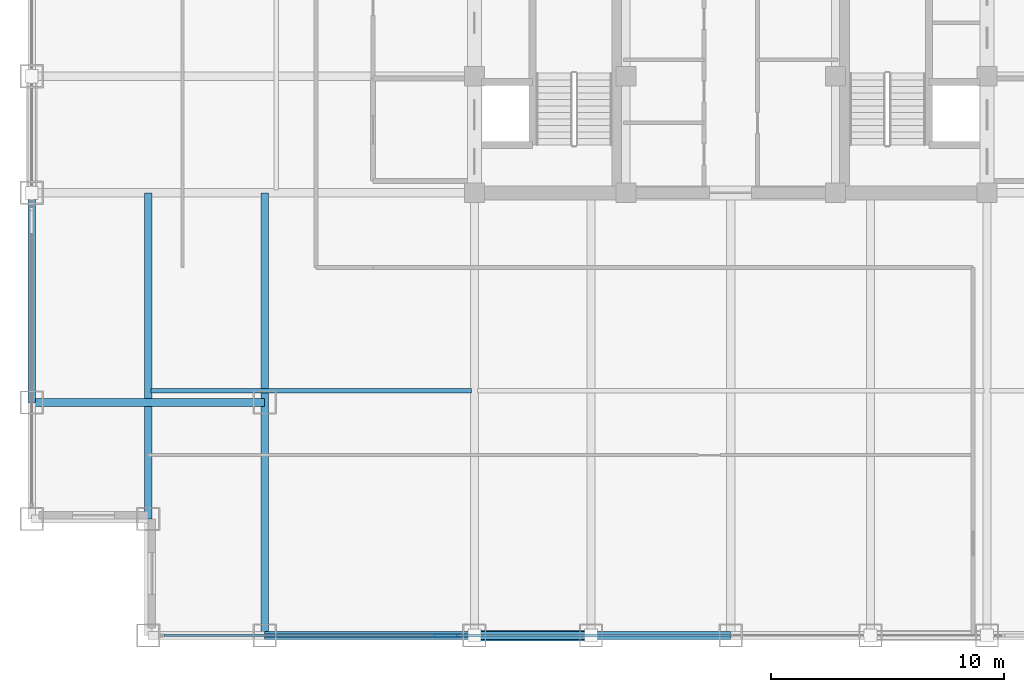
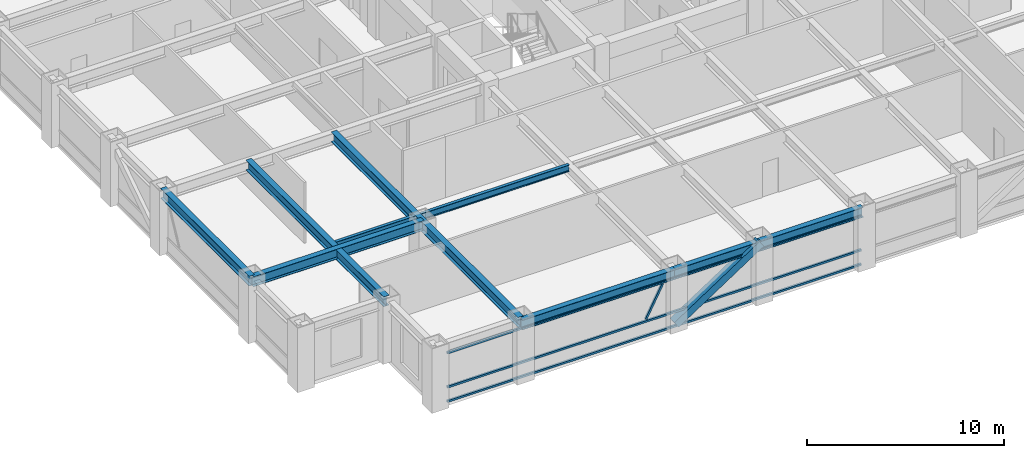
# One storey, part 3 of 24: 8 beams, 5 members, 1 element without a shape of its own.
"""IFC4 building model written with IfcOpenShell, lengths in metres."""

from ifc_helpers import new_model, si_unit, direction, frame, origin, origin_2d, place, context, subcontext, project, spatial, hollow_rectangle, i_section, extrude, source, transform, mapped, material, material_profile, profile_set, type_object, element, aggregate, save


model = new_model("IFC4")

# Units and contexts
model_context = context("Model", 3, precision=1e-05, world=origin(), true_north=direction((0.0, 1.0)))
body_context = subcontext(model_context, "Body", "Model", "MODEL_VIEW")
ifc_project = project(units=[si_unit("LENGTHUNIT", "METRE"), si_unit("AREAUNIT", "SQUARE_METRE"), si_unit("VOLUMEUNIT", "CUBIC_METRE"), si_unit("PLANEANGLEUNIT", "RADIAN"), si_unit("MASSUNIT", "GRAM", prefix="KILO")], contexts=[model_context])

# Site, building, storey
site_placement = place(None, origin())
site = spatial("IfcSite", under=ifc_project, at=site_placement, CompositionType="ELEMENT")
building_placement = place(site_placement, origin())
building = spatial("IfcBuilding", under=site, at=building_placement, Name="Khorayat Bourse Tower", CompositionType="ELEMENT")
storey_placement = place(building_placement, frame((0.0, 0.0, 259.10009765625)))
storey = spatial("IfcBuildingStorey", under=building, at=storey_placement, Name="L61", CompositionType="ELEMENT", Elevation=259.10009765625)

# Beams
ifc_material_1 = material(Name="Steel ASTM A992 Grade 50", Category="steel")
ifc_material_profile_1 = material_profile(ifc_material_1, i_section(OverallWidth=0.324951171875, OverallDepth=0.615966796875, WebThickness=0.013916015625, FlangeThickness=0.021484375, FilletRadius=0.01611328125, at=origin_2d()), Name="W610X174")
ifc_profile_set_1 = profile_set([ifc_material_profile_1], Name="Steel ASTM A992 Grade 50")
beam_type_1 = type_object("IfcBeamType", Name="BM-GIRD-610", PredefinedType="BEAM", material=ifc_profile_set_1)
shared_shape_1 = source(origin(), body_context, "Body", "SweptSolid", [
    extrude(i_section(OverallWidth=0.324951171875, OverallDepth=0.615966796875, WebThickness=0.013916015625, FlangeThickness=0.021484375, FilletRadius=0.01611328125, at=origin_2d()), origin(), (0.0, 0.0, 1.0), 19.0),
])
beam_1_placement = place(storey_placement, frame((-20.0, -30.0, 3.471923828125), z_axis=(0.0, 1.0, 0.0), x_axis=(-1.0, 0.0, 0.0)))
element("IfcBeam", 1, at=beam_1_placement, inside=storey, type_object=beam_type_1, Name="L61 BM-GIRD-610 BM-L61-CNRY-084", PredefinedType="BEAM", context=body_context, shape_type="MappedRepresentation", body=[
    mapped(shared_shape_1, transform((0.0, 0.0, 0.0), scale=1.0)),
])
shared_shape_2 = source(origin(), body_context, "Body", "SweptSolid", [
    extrude(i_section(OverallWidth=0.324951171875, OverallDepth=0.615966796875, WebThickness=0.013916015625, FlangeThickness=0.021484375, FilletRadius=0.01611328125, at=origin_2d()), origin(), (0.0, 0.0, 1.0), 10.0),
])
beam_2_placement = place(storey_placement, frame((-30.0, -20.0, 3.471923828125), z_axis=(1.0, 0.0, 0.0), x_axis=(0.0, 1.0, 0.0)))
element("IfcBeam", 2, at=beam_2_placement, inside=storey, type_object=beam_type_1, Name="L61 BM-GIRD-610 BM-L61-CNRX-093", PredefinedType="BEAM", context=body_context, shape_type="MappedRepresentation", body=[
    mapped(shared_shape_2, transform((0.0, 0.0, 0.0), scale=1.0)),
])
ifc_material_profile_2 = material_profile(ifc_material_1, i_section(OverallWidth=0.324951171875, OverallDepth=0.615966796875, WebThickness=0.013916015625, FlangeThickness=0.021484375, FilletRadius=0.01611328125, at=origin_2d()), Name="W610X174")
ifc_profile_set_2 = profile_set([ifc_material_profile_2], Name="Steel ASTM A992 Grade 50")
beam_type_2 = type_object("IfcBeamType", Name="BM-SPAN-610", PredefinedType="SPANDREL", material=ifc_profile_set_2)
shared_shape_3 = source(origin(), body_context, "Body", "SweptSolid", [
    extrude(i_section(OverallWidth=0.324951171875, OverallDepth=0.615966796875, WebThickness=0.013916015625, FlangeThickness=0.021484375, FilletRadius=0.01611328125, at=origin_2d()), origin(), (0.0, 0.0, 1.0), 9.0),
])
for number, where, z_axis, x_axis, name in (
    (3, (-20.0, -30.0, 3.351806640625), (1.0, 0.0, 0.0), (0.0, 1.0, 0.0), "L61 BM-SPAN-610 BM-L61-SPN-025"),
    (4, (-30.0, -20.0, 3.471923828125), (0.0, 1.0, 0.0), (-1.0, 0.0, 0.0), "L61 BM-SPAN-610 BM-L61-SPN-060"),
):
    element("IfcBeam", number, at=place(storey_placement, frame(where, z_axis=z_axis, x_axis=x_axis)), inside=storey, type_object=beam_type_2, Name=name, PredefinedType="SPANDREL", context=body_context, shape_type="MappedRepresentation", body=[
        mapped(shared_shape_3, transform((0.0, 0.0, 0.0), scale=1.0)),
    ])
shared_shape_4 = source(origin(), body_context, "Body", "SweptSolid", [
    extrude(i_section(OverallWidth=0.324951171875, OverallDepth=0.615966796875, WebThickness=0.013916015625, FlangeThickness=0.021484375, FilletRadius=0.01611328125, at=origin_2d()), origin(), (0.0, 0.0, 1.0), 5.0),
])
beam_3_placement = place(storey_placement, frame((-11.0, -30.0, 3.351806640625), z_axis=(1.0, 0.0, 0.0), x_axis=(0.0, 1.0, 0.0)))
element("IfcBeam", 5, at=beam_3_placement, inside=storey, type_object=beam_type_2, Name="L61 BM-SPAN-610 BM-L61-SPN-026", PredefinedType="SPANDREL", context=body_context, shape_type="MappedRepresentation", body=[
    mapped(shared_shape_4, transform((0.0, 0.0, 0.0), scale=1.0)),
])
shared_shape_5 = source(origin(), body_context, "Body", "SweptSolid", [
    extrude(i_section(OverallWidth=0.324951171875, OverallDepth=0.615966796875, WebThickness=0.013916015625, FlangeThickness=0.021484375, FilletRadius=0.01611328125, at=origin_2d()), origin(), (0.0, 0.0, 1.0), 6.0),
])
beam_4_placement = place(storey_placement, frame((-6.0, -30.0, 3.351806640625), z_axis=(1.0, 0.0, 0.0), x_axis=(0.0, 1.0, 0.0)))
element("IfcBeam", 6, at=beam_4_placement, inside=storey, type_object=beam_type_2, Name="L61 BM-SPAN-610 BM-L61-SPN-027", PredefinedType="SPANDREL", context=body_context, shape_type="MappedRepresentation", body=[
    mapped(shared_shape_5, transform((0.0, 0.0, 0.0), scale=1.0)),
])
shared_shape_6 = source(origin(), body_context, "Body", "SweptSolid", [
    extrude(i_section(OverallWidth=0.324951171875, OverallDepth=0.615966796875, WebThickness=0.013916015625, FlangeThickness=0.021484375, FilletRadius=0.01611328125, at=origin_2d()), origin(), (0.0, 0.0, 1.0), 14.0),
])
beam_5_placement = place(storey_placement, frame((-25.0, -25.0, 3.471923828125), z_axis=(0.0, 1.0, 0.0), x_axis=(-1.0, 0.0, 0.0)))
element("IfcBeam", 7, at=beam_5_placement, inside=storey, type_object=beam_type_1, Name="L61 BM-GIRD-610 BM-L61-CNRY-088", PredefinedType="BEAM", context=body_context, shape_type="MappedRepresentation", body=[
    mapped(shared_shape_6, transform((0.0, 0.0, 0.0), scale=1.0)),
])
ifc_material_profile_3 = material_profile(ifc_material_1, i_section(OverallWidth=0.180908203125, OverallDepth=0.4169921875, WebThickness=0.010986328125, FlangeThickness=0.018310546875, FilletRadius=0.011962890625, at=origin_2d()), Name="W410X85")
ifc_profile_set_3 = profile_set([ifc_material_profile_3], Name="Steel ASTM A992 Grade 50")
beam_type_3 = type_object("IfcBeamType", Name="BM-JOIST-410", PredefinedType="JOIST", material=ifc_profile_set_3)
shared_shape_7 = source(origin(), body_context, "Body", "SweptSolid", [
    extrude(i_section(OverallWidth=0.180908203125, OverallDepth=0.4169921875, WebThickness=0.010986328125, FlangeThickness=0.018310546875, FilletRadius=0.011962890625, at=origin_2d()), origin(), (0.0, 0.0, 1.0), 13.740234375),
])
beam_6_placement = place(storey_placement, frame((-24.8701171875, -19.5, 3.5712890625), z_axis=(1.0, 0.0, 0.0), x_axis=(0.0, 1.0, 0.0)))
element("IfcBeam", 8, at=beam_6_placement, inside=storey, type_object=beam_type_3, Name="L61 BM-JOIST-410 BM-L61-JSTX-096", PredefinedType="JOIST", context=body_context, shape_type="MappedRepresentation", body=[
    mapped(shared_shape_7, transform((0.0, 0.0, 0.0), scale=1.0)),
])

# Member
ifc_material_2 = material(Name="Steel EN 10025-4 S460M", Category="steel")
ifc_material_profile_4 = material_profile(ifc_material_2, hollow_rectangle(XDim=0.449951171875, YDim=0.449951171875, WallThickness=0.02490234375, at=origin_2d()), Name="HSS 450x450x25")
ifc_profile_set_4 = profile_set([ifc_material_profile_4], Name="Steel EN 10025-4 S460M")
member_type_1 = type_object("IfcMemberType", Name="MBR-TUBE-450", PredefinedType="BRACE", material=ifc_profile_set_4)
shared_shape_8 = source(origin(), body_context, "Body", "SweptSolid", [
    extrude(hollow_rectangle(XDim=0.449951171875, YDim=0.449951171875, WallThickness=0.02490234375, at=origin_2d()), origin(), (0.0, 0.0, 1.0), 5.979736328125),
])
member_1_placement = place(storey_placement, frame((-11.0, -30.0, 0.25), z_axis=(0.836160261256, 0.0, 0.548485202623), x_axis=(0.0, 1.0, 0.0)))
element("IfcMember", 9, at=member_1_placement, inside=storey, type_object=member_type_1, Name="L61 Perimeter Tube Brace 01", PredefinedType="BRACE", context=body_context, shape_type="MappedRepresentation", body=[
    mapped(shared_shape_8, transform((0.0, 0.0, 0.0), scale=1.0)),
])

# Curtain wall, members
ifc_material_3 = material(Name="Aluminium EN AW-6063 T6", Category="aluminium")
curtain_wall_type = type_object("IfcCurtainWallType", Name="CW-SYS-03", PredefinedType="NOTDEFINED", material=ifc_material_3)
curtain_wall_placement = place(storey_placement, origin())
curtain_wall = element("IfcCurtainWall", 10, at=curtain_wall_placement, inside=storey, type_object=curtain_wall_type, Name="L61 Curtain Wall CW-L61-S1", PredefinedType="NOTDEFINED")
ifc_material_profile_5 = material_profile(ifc_material_3, hollow_rectangle(XDim=0.1201171875, YDim=0.1201171875, WallThickness=0.0048828125, at=origin_2d()), Name="ALU 120x120x5")
ifc_profile_set_5 = profile_set([ifc_material_profile_5], Name="Aluminium EN AW-6063 T6")
member_type_2 = type_object("IfcMemberType", Name="CWM-DIAG-120", PredefinedType="MULLION", material=ifc_profile_set_5)
shared_shape_9 = source(origin(), body_context, "Body", "SweptSolid", [
    extrude(hollow_rectangle(XDim=0.1201171875, YDim=0.1201171875, WallThickness=0.0048828125, at=origin_2d()), origin(), (0.0, 0.0, 1.0), 2.079345703125),
])
member_2_placement = place(storey_placement, frame((-12.67919921875, -30.0, 1.08984375), z_axis=(0.465760949701, 0.0, 0.884910581773), x_axis=(0.0, 1.0, 0.0)))
member_2 = element("IfcMember", 11, at=member_2_placement, type_object=member_type_2, Name="CW-L61-S1 Faceted Diagonal Mullion 1", PredefinedType="MULLION", context=body_context, shape_type="MappedRepresentation", body=[
    mapped(shared_shape_9, transform((0.0, 0.0, 0.0), scale=1.0)),
])
ifc_material_profile_6 = material_profile(ifc_material_3, hollow_rectangle(XDim=0.1201171875, YDim=0.1201171875, WallThickness=0.0048828125, at=origin_2d()), Name="ALU 120x120x5")
ifc_profile_set_6 = profile_set([ifc_material_profile_6], Name="Aluminium EN AW-6063 T6")
member_type_3 = type_object("IfcMemberType", Name="CWT-HORZ-120", PredefinedType="USERDEFINED", material=ifc_profile_set_6)
shared_shape_10 = source(origin(), body_context, "Body", "SweptSolid", [
    extrude(hollow_rectangle(XDim=0.1201171875, YDim=0.1201171875, WallThickness=0.0048828125, at=origin_2d()), origin(), (0.0, 0.0, 1.0), 24.27001953125),
])
member_3_placement = place(storey_placement, frame((-24.330078125, -30.0, 0.059814453125), z_axis=(1.0, 0.0, 0.0), x_axis=(0.0, 1.0, 0.0)))
member_3 = element("IfcMember", 12, at=member_3_placement, type_object=member_type_3, Name="CW-L61-S1 Horizontal Transom 1-1", ObjectType="TRANSOM", PredefinedType="USERDEFINED", context=body_context, shape_type="MappedRepresentation", body=[
    mapped(shared_shape_10, transform((0.0, 0.0, 0.0), scale=1.0)),
])
member_4_placement = place(storey_placement, frame((-24.330078125, -30.0, 0.949951171875), z_axis=(1.0, 0.0, 0.0), x_axis=(0.0, 1.0, 0.0)))
member_4 = element("IfcMember", 13, at=member_4_placement, type_object=member_type_3, Name="CW-L61-S1 Horizontal Transom 1-2", ObjectType="TRANSOM", PredefinedType="USERDEFINED", context=body_context, shape_type="MappedRepresentation", body=[
    mapped(shared_shape_10, transform((0.0, 0.0, 0.0), scale=1.0)),
])
member_5_placement = place(storey_placement, frame((-24.330078125, -30.0, 3.06982421875), z_axis=(1.0, 0.0, 0.0), x_axis=(0.0, 1.0, 0.0)))
member_5 = element("IfcMember", 14, at=member_5_placement, type_object=member_type_3, Name="CW-L61-S1 Horizontal Transom 1-3", ObjectType="TRANSOM", PredefinedType="USERDEFINED", context=body_context, shape_type="MappedRepresentation", body=[
    mapped(shared_shape_10, transform((0.0, 0.0, 0.0), scale=1.0)),
])
aggregate(curtain_wall, [member_3, member_4, member_5, member_2])

save(model, "model.ifc")
